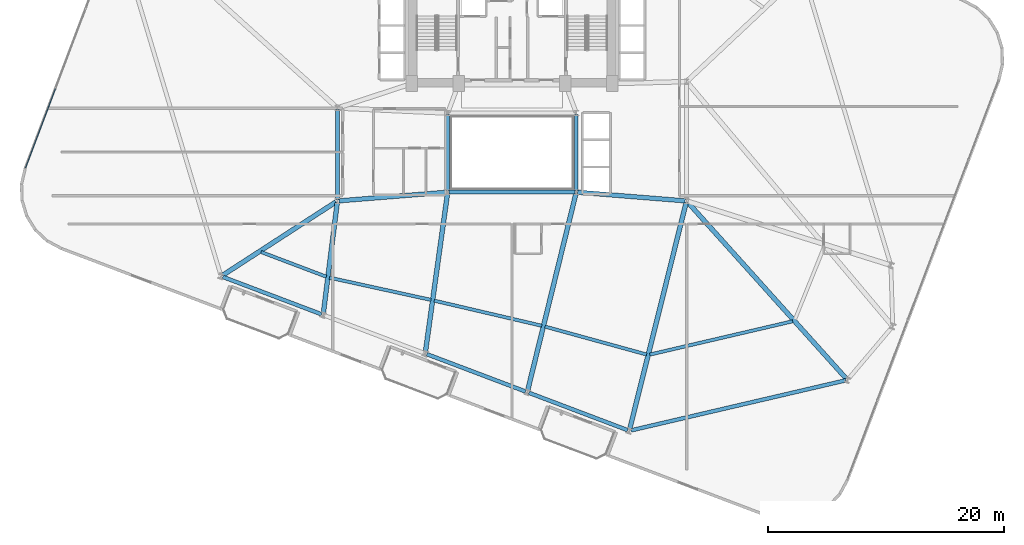
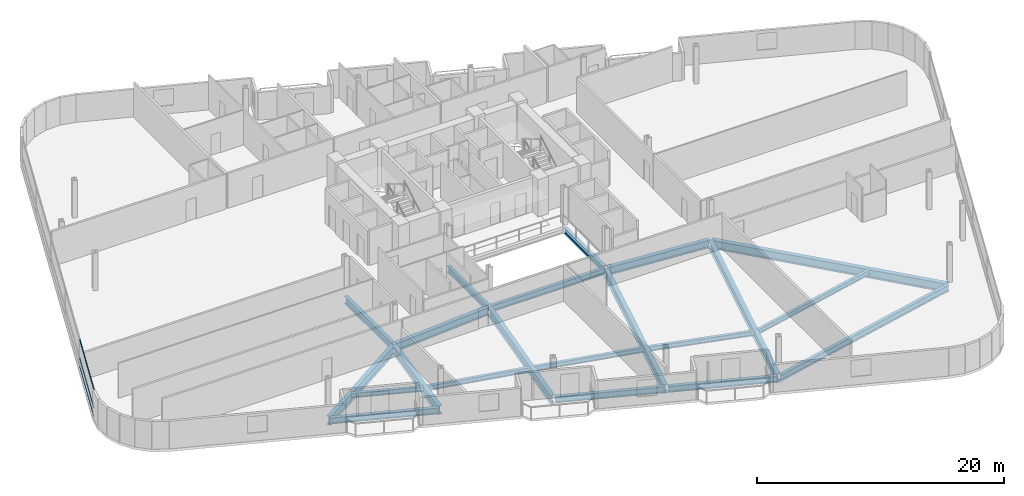
# One storey, part 3 of 24: 21 beams, 3 members, 1 element without a shape of its own.
"""IFC4 building model written with IfcOpenShell, lengths in metres."""

from ifc_helpers import new_model, si_unit, direction, frame, origin, origin_2d, place, context, subcontext, project, spatial, hollow_rectangle, i_section, extrude, material, layer, layer_set, material_profile, profile_set, type_object, element, aggregate, save


model = new_model("IFC4")

# Units and contexts
model_context = context("Model", 3, precision=1e-05, world=origin(), true_north=direction((0.0, 1.0)))
body_context = subcontext(model_context, "Body", "Model", "MODEL_VIEW")
ifc_project = project(units=[si_unit("LENGTHUNIT", "METRE"), si_unit("AREAUNIT", "SQUARE_METRE"), si_unit("VOLUMEUNIT", "CUBIC_METRE"), si_unit("PLANEANGLEUNIT", "RADIAN"), si_unit("MASSUNIT", "GRAM", prefix="KILO")], contexts=[model_context])

# Site, building, storey
site_placement = place(None, origin())
site = spatial("IfcSite", under=ifc_project, at=site_placement, CompositionType="ELEMENT")
building_placement = place(site_placement, origin())
building = spatial("IfcBuilding", under=site, at=building_placement, Name="Varnelok Gate Tower", CompositionType="ELEMENT")
storey_placement = place(building_placement, frame((0.0, 0.0, 98.39990234375)))
storey = spatial("IfcBuildingStorey", under=building, at=storey_placement, Name="L24", CompositionType="ELEMENT", Elevation=98.39990234375)

# Beams
ifc_material_1 = material(Name="Structural Steel ASTM A992 Grade 50", Category="steel")
ifc_material_profile_1 = material_profile(ifc_material_1, i_section(OverallWidth=0.280029296875, OverallDepth=0.462890625, WebThickness=0.0107421875, FlangeThickness=0.017333984375, FilletRadius=0.014892578125, at=origin_2d()), Name="W18X76")
ifc_profile_set_1 = profile_set([ifc_material_profile_1], Name="Structural Steel ASTM A992 Grade 50")
beam_type_1 = type_object("IfcBeamType", Name="BM-JST-W18X76", PredefinedType="JOIST", material=ifc_profile_set_1)
beam_1_placement = place(storey_placement, frame((17.92529296875, 14.473388671875, -0.4814453125), z_axis=(0.935224241006, -0.354055954666, 0.0), x_axis=(0.354055954666, 0.935224241006, 0.0)))
element("IfcBeam", 1, at=beam_1_placement, inside=storey, type_object=beam_type_1, Name="L24 Sector Floor Joist 1", PredefinedType="JOIST", context=body_context, shape_type="SweptSolid", body=[
    extrude(i_section(OverallWidth=0.280029296875, OverallDepth=0.462890625, WebThickness=0.0107421875, FlangeThickness=0.017333984375, FilletRadius=0.014892578125, at=origin_2d()), origin(), (0.0, 0.0, 1.0), 5.917724609375),
])
beam_2_placement = place(storey_placement, frame((23.727294921875, 12.298583984375, -0.4814453125), z_axis=(0.976811371501, -0.214101715326, 0.0), x_axis=(0.214101715326, 0.976811371501, 0.0)))
element("IfcBeam", 2, at=beam_2_placement, inside=storey, type_object=beam_type_1, Name="L24 Sector Floor Joist 2", PredefinedType="JOIST", context=body_context, shape_type="SweptSolid", body=[
    extrude(i_section(OverallWidth=0.280029296875, OverallDepth=0.462890625, WebThickness=0.0107421875, FlangeThickness=0.017333984375, FilletRadius=0.014892578125, at=origin_2d()), origin(), (0.0, 0.0, 1.0), 8.812255859375),
])
beam_3_placement = place(storey_placement, frame((32.6083984375, 10.349853515625, -0.4814453125), z_axis=(0.973781378706, -0.227485881949, 0.0), x_axis=(0.227485881949, 0.973781378706, 0.0)))
element("IfcBeam", 3, at=beam_3_placement, inside=storey, type_object=beam_type_1, Name="L24 Sector Floor Joist 3", PredefinedType="JOIST", context=body_context, shape_type="SweptSolid", body=[
    extrude(i_section(OverallWidth=0.280029296875, OverallDepth=0.462890625, WebThickness=0.0107421875, FlangeThickness=0.017333984375, FilletRadius=0.014892578125, at=origin_2d()), origin(), (0.0, 0.0, 1.0), 9.365966796875),
])
beam_4_placement = place(storey_placement, frame((42.0, 8.150390625, -0.4814453125), z_axis=(0.964219893218, -0.265103748602, 0.0), x_axis=(0.265103748602, 0.964219893218, 0.0)))
element("IfcBeam", 4, at=beam_4_placement, inside=storey, type_object=beam_type_1, Name="L24 Sector Floor Joist 4", PredefinedType="JOIST", context=body_context, shape_type="SweptSolid", body=[
    extrude(i_section(OverallWidth=0.280029296875, OverallDepth=0.462890625, WebThickness=0.0107421875, FlangeThickness=0.017333984375, FilletRadius=0.014892578125, at=origin_2d()), origin(), (0.0, 0.0, 1.0), 8.93115234375),
])
beam_5_placement = place(storey_placement, frame((50.883056640625, 5.77734375, -0.4814453125), z_axis=(0.973875066894, 0.227084464643, 0.0), x_axis=(-0.227084464643, 0.973875066894, 0.0)))
element("IfcBeam", 5, at=beam_5_placement, inside=storey, type_object=beam_type_1, Name="L24 Sector Floor Joist 5", PredefinedType="JOIST", context=body_context, shape_type="SweptSolid", body=[
    extrude(i_section(OverallWidth=0.280029296875, OverallDepth=0.462890625, WebThickness=0.0107421875, FlangeThickness=0.017333984375, FilletRadius=0.014892578125, at=origin_2d()), origin(), (0.0, 0.0, 1.0), 12.442138671875),
])
ifc_material_profile_2 = material_profile(ifc_material_1, i_section(OverallWidth=0.35498046875, OverallDepth=0.696044921875, WebThickness=0.015380859375, FlangeThickness=0.02490234375, FilletRadius=0.02001953125, at=origin_2d()), Name="W27X146")
ifc_profile_set_2 = profile_set([ifc_material_profile_2], Name="Structural Steel ASTM A992 Grade 50")
beam_type_2 = type_object("IfcBeamType", Name="BM-PRI-W27X146", PredefinedType="BEAM", material=ifc_profile_set_2)
beam_6_placement = place(storey_placement, frame((24.39990234375, 18.919921875, -0.597900390625), z_axis=(0.0, 1.0, 0.0), x_axis=(-1.0, 0.0, 0.0)))
element("IfcBeam", 6, at=beam_6_placement, inside=storey, type_object=beam_type_2, Name="L24 Core-Atrium Spine Beam 16", PredefinedType="BEAM", context=body_context, shape_type="SweptSolid", body=[
    extrude(i_section(OverallWidth=0.35498046875, OverallDepth=0.696044921875, WebThickness=0.015380859375, FlangeThickness=0.02490234375, FilletRadius=0.02001953125, at=origin_2d()), origin(), (0.0, 0.0, 1.0), 7.64013671875),
])
ifc_material_profile_3 = material_profile(ifc_material_1, i_section(OverallWidth=0.381103515625, OverallDepth=0.77294921875, WebThickness=0.0166015625, FlangeThickness=0.027099609375, FilletRadius=0.02197265625, at=origin_2d()), Name="W30X173")
ifc_profile_set_3 = profile_set([ifc_material_profile_3], Name="Structural Steel ASTM A992 Grade 50")
beam_type_3 = type_object("IfcBeamType", Name="BM-PRI-W30X173", PredefinedType="BEAM", material=ifc_profile_set_3)
for number, where, z_axis, x_axis, name in (
    (7, (24.51953125, 18.8095703125, -0.636474609375), (0.996799206292, 0.07994587128, 0.0), (-0.07994587128, 0.996799206292, 0.0), "L24 Core-Atrium Spine Beam 14"),
    (8, (44.76953125, 19.540283203125, -0.636474609375), (0.996799206292, -0.07994587128, 0.0), (0.07994587128, 0.996799206292, 0.0), "L24 Core-Atrium Spine Beam 18"),
):
    element("IfcBeam", number, at=place(storey_placement, frame(where, z_axis=z_axis, x_axis=x_axis)), inside=storey, type_object=beam_type_3, Name=name, PredefinedType="BEAM", context=body_context, shape_type="SweptSolid", body=[
        extrude(i_section(OverallWidth=0.381103515625, OverallDepth=0.77294921875, WebThickness=0.0166015625, FlangeThickness=0.027099609375, FilletRadius=0.02197265625, at=origin_2d()), origin(), (0.0, 0.0, 1.0), 9.14013671875),
    ])
ifc_material_profile_4 = material_profile(ifc_material_1, i_section(OverallWidth=0.39892578125, OverallDepth=0.85498046875, WebThickness=0.018310546875, FlangeThickness=0.029296875, FilletRadius=0.02392578125, at=origin_2d()), Name="W33X201")
ifc_profile_set_4 = profile_set([ifc_material_profile_4], Name="Structural Steel ASTM A992 Grade 50")
beam_type_4 = type_object("IfcBeamType", Name="BM-PRI-W33X201", PredefinedType="BEAM", material=ifc_profile_set_4)
beam_7_placement = place(storey_placement, frame((24.274169921875, 18.718505859375, -0.677490234375), z_axis=(-0.839398998687, -0.543515704468, 0.0), x_axis=(0.543515704468, -0.839398998687, 0.0)))
element("IfcBeam", 9, at=beam_7_placement, inside=storey, type_object=beam_type_4, Name="L24 Radial Floor Girder 1", PredefinedType="BEAM", context=body_context, shape_type="SweptSolid", body=[
    extrude(i_section(OverallWidth=0.39892578125, OverallDepth=0.85498046875, WebThickness=0.018310546875, FlangeThickness=0.029296875, FilletRadius=0.02392578125, at=origin_2d()), origin(), (0.0, 0.0, 1.0), 11.4453125),
])
beam_8_placement = place(storey_placement, frame((24.38134765625, 18.651123046875, -0.677490234375), z_axis=(-0.124114361033, -0.992267920163, 0.0), x_axis=(0.992267920163, -0.124114361033, 0.0)))
element("IfcBeam", 10, at=beam_8_placement, inside=storey, type_object=beam_type_4, Name="L24 Radial Floor Girder 2", PredefinedType="BEAM", context=body_context, shape_type="SweptSolid", body=[
    extrude(i_section(OverallWidth=0.39892578125, OverallDepth=0.85498046875, WebThickness=0.018310546875, FlangeThickness=0.029296875, FilletRadius=0.02392578125, at=origin_2d()), origin(), (0.0, 0.0, 1.0), 9.43408203125),
])
beam_9_placement = place(storey_placement, frame((33.729248046875, 19.4013671875, -0.677490234375), z_axis=(-0.138054699139, -0.990424605937, 0.0), x_axis=(0.990424605937, -0.138054699139, 0.0)))
element("IfcBeam", 11, at=beam_9_placement, inside=storey, type_object=beam_type_4, Name="L24 Radial Floor Girder 3", PredefinedType="BEAM", context=body_context, shape_type="SweptSolid", body=[
    extrude(i_section(OverallWidth=0.39892578125, OverallDepth=0.85498046875, WebThickness=0.018310546875, FlangeThickness=0.029296875, FilletRadius=0.02392578125, at=origin_2d()), origin(), (0.0, 0.0, 1.0), 13.51611328125),
])
beam_10_placement = place(storey_placement, frame((44.6142578125, 19.404296875, -0.677490234375), z_axis=(-0.238054163128, -0.971251880522, 0.0), x_axis=(0.971251880522, -0.238054163128, 0.0)))
element("IfcBeam", 12, at=beam_10_placement, inside=storey, type_object=beam_type_4, Name="L24 Radial Floor Girder 4", PredefinedType="BEAM", context=body_context, shape_type="SweptSolid", body=[
    extrude(i_section(OverallWidth=0.39892578125, OverallDepth=0.85498046875, WebThickness=0.018310546875, FlangeThickness=0.029296875, FilletRadius=0.02392578125, at=origin_2d()), origin(), (0.0, 0.0, 1.0), 17.160888671875),
])
beam_11_placement = place(storey_placement, frame((53.963623046875, 18.654541015625, -0.677490234375), z_axis=(-0.241818229902, -0.970321567156, 0.0), x_axis=(0.970321567156, -0.241818229902, 0.0)))
element("IfcBeam", 13, at=beam_11_placement, inside=storey, type_object=beam_type_4, Name="L24 Radial Floor Girder 5", PredefinedType="BEAM", context=body_context, shape_type="SweptSolid", body=[
    extrude(i_section(OverallWidth=0.39892578125, OverallDepth=0.85498046875, WebThickness=0.018310546875, FlangeThickness=0.029296875, FilletRadius=0.02392578125, at=origin_2d()), origin(), (0.0, 0.0, 1.0), 19.7802734375),
])
beam_12_placement = place(storey_placement, frame((54.100341796875, 18.6884765625, -0.677490234375), z_axis=(0.668462619128, -0.743745740713, 0.0), x_axis=(0.743745740713, 0.668462619128, 0.0)))
element("IfcBeam", 14, at=beam_12_placement, inside=storey, type_object=beam_type_4, Name="L24 Radial Floor Girder 6", PredefinedType="BEAM", context=body_context, shape_type="SweptSolid", body=[
    extrude(i_section(OverallWidth=0.39892578125, OverallDepth=0.85498046875, WebThickness=0.018310546875, FlangeThickness=0.029296875, FilletRadius=0.02392578125, at=origin_2d()), origin(), (0.0, 0.0, 1.0), 20.099853515625),
])
ifc_material_profile_5 = material_profile(ifc_material_1, i_section(OverallWidth=0.323974609375, OverallDepth=0.611083984375, WebThickness=0.0126953125, FlangeThickness=0.01904296875, FilletRadius=0.01806640625, at=origin_2d()), Name="W24X104")
ifc_profile_set_5 = profile_set([ifc_material_profile_5], Name="Structural Steel ASTM A992 Grade 50")
beam_type_5 = type_object("IfcBeamType", Name="BM-SPN-W24X104", PredefinedType="SPANDREL", material=ifc_profile_set_5)
beam_13_placement = place(storey_placement, frame((33.8701171875, 19.550048828125, -0.555419921875), z_axis=(1.0, 0.0, 0.0), x_axis=(0.0, 1.0, 0.0)))
element("IfcBeam", 15, at=beam_13_placement, inside=storey, type_object=beam_type_5, Name="L24 Core-Atrium Spine Beam 8", PredefinedType="SPANDREL", context=body_context, shape_type="SweptSolid", body=[
    extrude(i_section(OverallWidth=0.323974609375, OverallDepth=0.611083984375, WebThickness=0.0126953125, FlangeThickness=0.01904296875, FilletRadius=0.01806640625, at=origin_2d()), origin(), (0.0, 0.0, 1.0), 10.659912109375),
])
for number, where, z_axis, x_axis, name in (
    (16, (33.75, 19.669921875, -0.555419921875), (0.0, 1.0, 0.0), (-1.0, 0.0, 0.0), "L24 Core-Atrium Spine Beam 10"),
    (17, (44.64990234375, 19.669921875, -0.555419921875), (0.0, 1.0, 0.0), (-1.0, 0.0, 0.0), "L24 Core-Atrium Spine Beam 11"),
):
    element("IfcBeam", number, at=place(storey_placement, frame(where, z_axis=z_axis, x_axis=x_axis)), inside=storey, type_object=beam_type_5, Name=name, PredefinedType="SPANDREL", context=body_context, shape_type="SweptSolid", body=[
        extrude(i_section(OverallWidth=0.323974609375, OverallDepth=0.611083984375, WebThickness=0.0126953125, FlangeThickness=0.01904296875, FilletRadius=0.01806640625, at=origin_2d()), origin(), (0.0, 0.0, 1.0), 6.4599609375),
    ])
for number, where, z_axis, x_axis, name in (
    (18, (14.681396484375, 12.363037109375, -0.555419921875), (0.935225969099, -0.354051389947, 0.0), (0.354051389947, 0.935225969099, 0.0), "L24 Perimeter Spandrel Beam 1"),
    (19, (31.98291015625, 5.81298828125, -0.555419921875), (0.935216936382, -0.354075248928, 0.0), (0.354075248928, 0.935216936382, 0.0), "L24 Perimeter Spandrel Beam 3"),
    (20, (40.6337890625, 2.537841796875, -0.555419921875), (0.935216936382, -0.354075248928, 0.0), (0.354075248928, 0.935216936382, 0.0), "L24 Perimeter Spandrel Beam 4"),
):
    element("IfcBeam", number, at=place(storey_placement, frame(where, z_axis=z_axis, x_axis=x_axis)), inside=storey, type_object=beam_type_5, Name=name, PredefinedType="SPANDREL", context=body_context, shape_type="SweptSolid", body=[
        extrude(i_section(OverallWidth=0.323974609375, OverallDepth=0.611083984375, WebThickness=0.0126953125, FlangeThickness=0.01904296875, FilletRadius=0.01806640625, at=origin_2d()), origin(), (0.0, 0.0, 1.0), 8.949951171875),
    ])
beam_14_placement = place(storey_placement, frame((49.290283203125, -0.64990234375, -0.555419921875), z_axis=(0.973880317885, 0.227061944052, 0.0), x_axis=(-0.227061944052, 0.973880317885, 0.0)))
element("IfcBeam", 21, at=beam_14_placement, inside=storey, type_object=beam_type_5, Name="L24 Perimeter Spandrel Beam 5", PredefinedType="SPANDREL", context=body_context, shape_type="SweptSolid", body=[
    extrude(i_section(OverallWidth=0.323974609375, OverallDepth=0.611083984375, WebThickness=0.0126953125, FlangeThickness=0.01904296875, FilletRadius=0.01806640625, at=origin_2d()), origin(), (0.0, 0.0, 1.0), 18.688232421875),
])

# Curtain wall, members
ifc_material_2 = material(Name="Anodized Aluminum Alloy 6063-T6", Category="aluminium")
ifc_layer = layer(ifc_material_2, 0.179931640625)
ifc_layer_set = layer_set([ifc_layer], Name="Anodized Aluminum Alloy 6063-T6")
curtain_wall_type = type_object("IfcCurtainWallType", Name="CW3-HOTEL-VISION", PredefinedType="USERDEFINED", material=ifc_layer_set)
curtain_wall_placement = place(storey_placement, origin())
curtain_wall = element("IfcCurtainWall", 22, at=curtain_wall_placement, inside=storey, type_object=curtain_wall_type, Name="L24 West End Vision Curtain Wall", ObjectType="UNITISED CURTAIN WALL", PredefinedType="USERDEFINED")
ifc_material_profile_6 = material_profile(ifc_material_2, hollow_rectangle(XDim=0.06494140625, YDim=0.159912109375, WallThickness=0.00390625, at=origin_2d()), Name="ALU160X65X4")
ifc_profile_set_6 = profile_set([ifc_material_profile_6], Name="Anodized Aluminum Alloy 6063-T6")
member_type = type_object("IfcMemberType", Name="CW-TRAN-160", PredefinedType="USERDEFINED", material=ifc_profile_set_6)
member_1_placement = place(storey_placement, frame((-2.031982421875, 21.625732421875, 0.03271484375), z_axis=(0.35408846525, 0.935211932546, 0.0), x_axis=(-0.935211932546, 0.35408846525, 0.0)))
member_1 = element("IfcMember", 23, at=member_1_placement, type_object=member_type, Name="CW3 transom 1.1", ObjectType="TRANSOM", PredefinedType="USERDEFINED", context=body_context, shape_type="SweptSolid", body=[
    extrude(hollow_rectangle(XDim=0.06494140625, YDim=0.159912109375, WallThickness=0.00390625, at=origin_2d()), origin(), (0.0, 0.0, 1.0), 7.142333984375),
])
member_2_placement = place(storey_placement, frame((-2.031982421875, 21.625732421875, 0.900146484375), z_axis=(0.35408846525, 0.935211932546, 0.0), x_axis=(-0.935211932546, 0.35408846525, 0.0)))
member_2 = element("IfcMember", 24, at=member_2_placement, type_object=member_type, Name="CW3 transom 1.2", ObjectType="TRANSOM", PredefinedType="USERDEFINED", context=body_context, shape_type="SweptSolid", body=[
    extrude(hollow_rectangle(XDim=0.06494140625, YDim=0.159912109375, WallThickness=0.00390625, at=origin_2d()), origin(), (0.0, 0.0, 1.0), 7.142333984375),
])
member_3_placement = place(storey_placement, frame((-2.031982421875, 21.625732421875, 2.697509765625), z_axis=(0.35408846525, 0.935211932546, 0.0), x_axis=(-0.935211932546, 0.35408846525, 0.0)))
member_3 = element("IfcMember", 25, at=member_3_placement, type_object=member_type, Name="CW3 transom 1.3", ObjectType="TRANSOM", PredefinedType="USERDEFINED", context=body_context, shape_type="SweptSolid", body=[
    extrude(hollow_rectangle(XDim=0.06494140625, YDim=0.159912109375, WallThickness=0.00390625, at=origin_2d()), origin(), (0.0, 0.0, 1.0), 7.142333984375),
])
aggregate(curtain_wall, [member_1, member_2, member_3])

save(model, "model.ifc")
